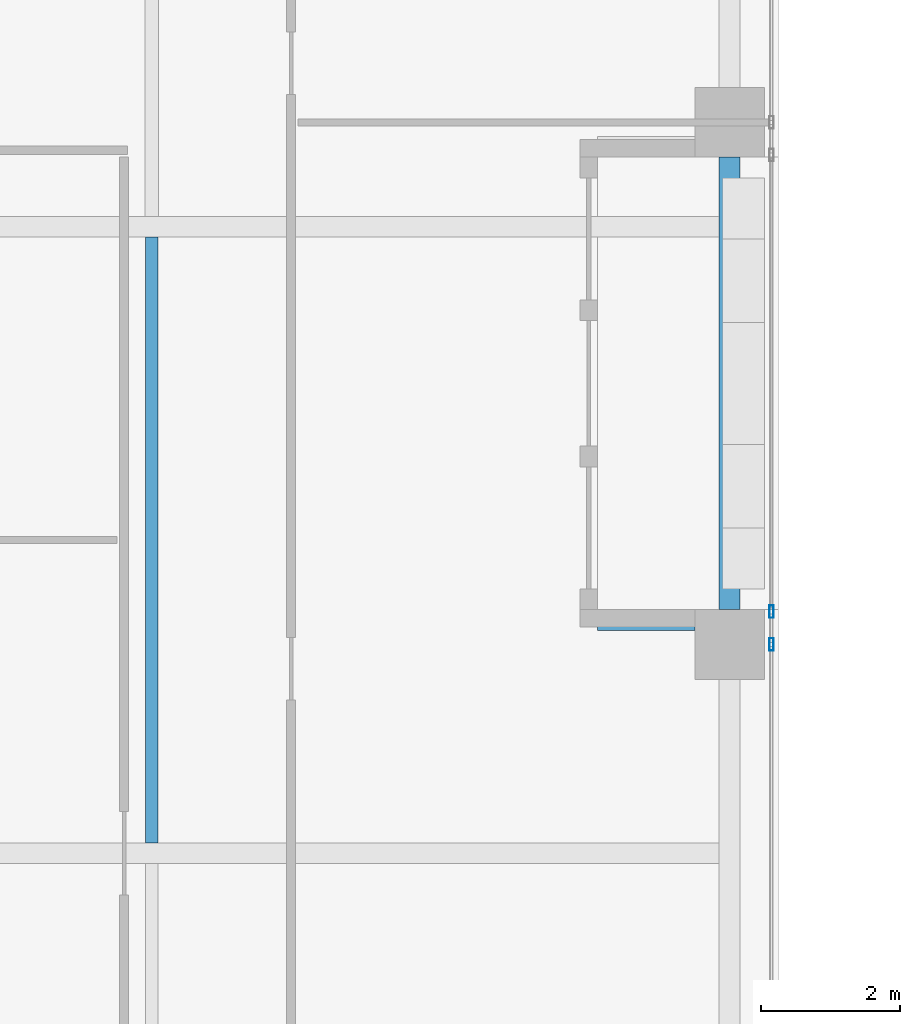
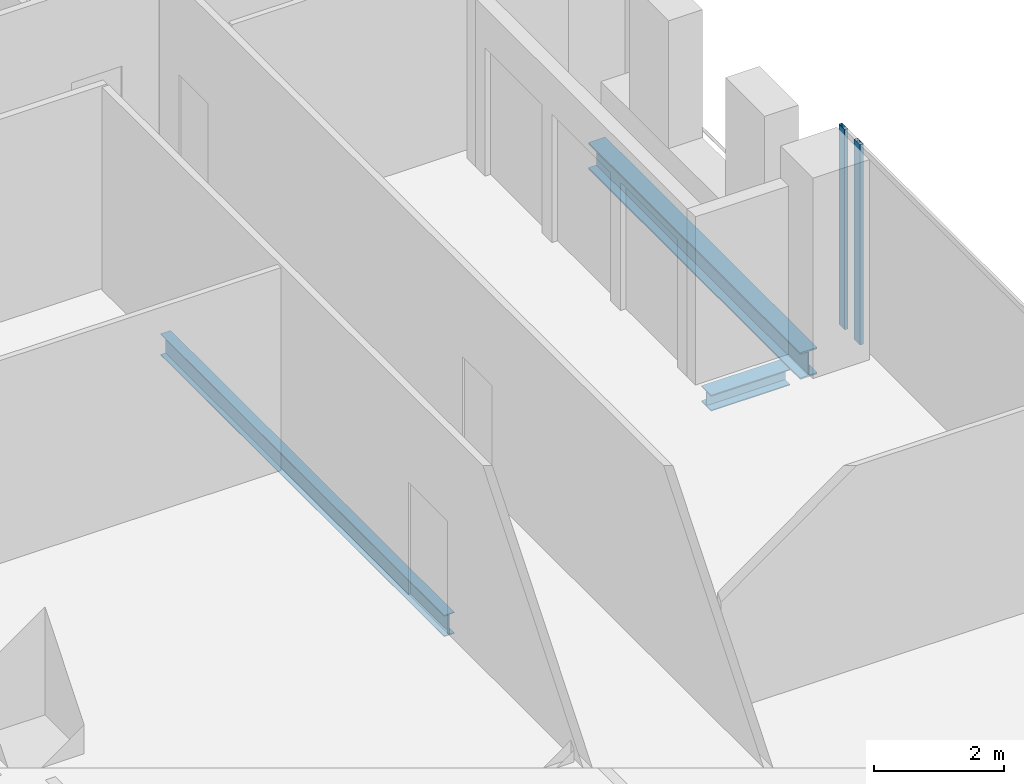
# One storey, part 21 of 38: 3 beams, 2 members, 1 element without a shape of its own.
"""IFC4 building model written with IfcOpenShell, lengths in metres."""

from ifc_helpers import new_model, si_unit, direction, frame, origin, origin_2d, place, context, subcontext, project, spatial, hollow_rectangle, i_section, extrude, source, transform, mapped, material, material_profile, profile_set, type_object, element, aggregate, save


model = new_model("IFC4")

# Units and contexts
model_context = context("Model", 3, precision=1e-05, world=origin(), true_north=direction((0.0, 1.0)))
body_context = subcontext(model_context, "Body", "Model", "MODEL_VIEW")
ifc_project = project(units=[si_unit("LENGTHUNIT", "METRE"), si_unit("AREAUNIT", "SQUARE_METRE"), si_unit("VOLUMEUNIT", "CUBIC_METRE"), si_unit("PLANEANGLEUNIT", "RADIAN"), si_unit("MASSUNIT", "GRAM", prefix="KILO")], contexts=[model_context])

# Site, building, storey
site_placement = place(None, origin())
site = spatial("IfcSite", under=ifc_project, at=site_placement, CompositionType="ELEMENT")
building_placement = place(site_placement, origin())
building = spatial("IfcBuilding", under=site, at=building_placement, Name="Khomas Fold Tower", CompositionType="ELEMENT")
storey_placement = place(building_placement, frame((0.0, 0.0, 196.699951171875)))
storey = spatial("IfcBuildingStorey", under=building, at=storey_placement, Name="L43", CompositionType="ELEMENT", Elevation=196.699951171875)

# Beams
ifc_material_1 = material(Name="Steel S355", Category="steel")
ifc_material_profile_1 = material_profile(ifc_material_1, i_section(OverallWidth=0.179931640625, OverallDepth=0.39990234375, WebThickness=0.008544921875, FlangeThickness=0.013427734375, at=origin_2d()), Name="IPE 400")
ifc_profile_set_1 = profile_set([ifc_material_profile_1], Name="Steel S355")
beam_type_1 = type_object("IfcBeamType", Name="IPE 400 beam JB3", PredefinedType="BEAM", material=ifc_profile_set_1)
shared_shape_1 = source(origin(), body_context, "Body", "SweptSolid", [
    extrude(i_section(OverallWidth=0.179931640625, OverallDepth=0.39990234375, WebThickness=0.008544921875, FlangeThickness=0.013427734375, at=origin_2d()), origin(), (0.0, 0.0, 1.0), 8.7001953125),
])
beam_1_placement = place(storey_placement, frame((42.0, 31.64990234375, -0.449951171875), z_axis=(0.0, 1.0, 0.0), x_axis=(-1.0, 0.0, 0.0)))
element("IfcBeam", 1, at=beam_1_placement, inside=storey, type_object=beam_type_1, Name="JB3", PredefinedType="BEAM", context=body_context, shape_type="MappedRepresentation", body=[
    mapped(shared_shape_1, transform((0.0, 0.0, 0.0))),
])
ifc_material_2 = material(Name="Steel S355", Category="steel")
ifc_material_profile_2 = material_profile(ifc_material_2, i_section(OverallWidth=0.300048828125, OverallDepth=0.5, WebThickness=0.014404296875, FlangeThickness=0.028076171875, at=origin_2d()), Name="HE 500 B")
ifc_profile_set_2 = profile_set([ifc_material_profile_2], Name="Steel S355")
beam_type_2 = type_object("IfcBeamType", Name="HE 500 B spandrel SB3", PredefinedType="SPANDREL", material=ifc_profile_set_2)
shared_shape_2 = source(origin(), body_context, "Body", "SweptSolid", [
    extrude(i_section(OverallWidth=0.300048828125, OverallDepth=0.5, WebThickness=0.014404296875, FlangeThickness=0.028076171875, at=origin_2d()), origin(), (0.0, 0.0, 1.0), 6.5),
])
beam_2_placement = place(storey_placement, frame((50.300048828125, 35.0, -0.5), z_axis=(0.0, 1.0, 0.0), x_axis=(-1.0, 0.0, 0.0)))
element("IfcBeam", 2, at=beam_2_placement, inside=storey, type_object=beam_type_2, Name="SB3", PredefinedType="SPANDREL", context=body_context, shape_type="MappedRepresentation", body=[
    mapped(shared_shape_2, transform((0.0, 0.0, 0.0))),
])
ifc_material_3 = material(Name="Steel S355", Category="steel")
ifc_material_profile_3 = material_profile(ifc_material_3, i_section(OverallWidth=0.300048828125, OverallDepth=0.300048828125, WebThickness=0.010986328125, FlangeThickness=0.01904296875, at=origin_2d()), Name="HE 300 B")
ifc_profile_set_3 = profile_set([ifc_material_profile_3], Name="Steel S355")
beam_type_3 = type_object("IfcBeamType", Name="HE 300 B beam BB1", PredefinedType="BEAM", material=ifc_profile_set_3)
shared_shape_3 = source(origin(), body_context, "Body", "SweptSolid", [
    extrude(i_section(OverallWidth=0.300048828125, OverallDepth=0.300048828125, WebThickness=0.010986328125, FlangeThickness=0.01904296875, at=origin_2d()), origin(), (0.0, 0.0, 1.0), 1.400146484375),
])
beam_3_placement = place(storey_placement, frame((48.39990234375, 34.85009765625, -0.39990234375), z_axis=(1.0, 0.0, 0.0), x_axis=(0.0, 1.0, 0.0)))
element("IfcBeam", 3, at=beam_3_placement, inside=storey, type_object=beam_type_3, Name="BB1", PredefinedType="BEAM", context=body_context, shape_type="MappedRepresentation", body=[
    mapped(shared_shape_3, transform((0.0, 0.0, 0.0))),
])

# Curtain wall, members
ifc_material_4 = material(Name="Aluminium framed double glazing", Category="aluminium")
curtain_wall_type = type_object("IfcCurtainWallType", Name="SK-Unitised clear-glass wall, office floors CW2", PredefinedType="NOTDEFINED", material=ifc_material_4)
curtain_wall_placement = place(storey_placement, origin())
curtain_wall = element("IfcCurtainWall", 4, at=curtain_wall_placement, inside=storey, type_object=curtain_wall_type, Name="CW2 run L43 03-0", PredefinedType="NOTDEFINED")
ifc_material_5 = material(Name="Aluminium", Category="aluminium")
ifc_material_profile_4 = material_profile(ifc_material_5, hollow_rectangle(XDim=0.06005859375, YDim=0.179931640625, WallThickness=0.00390625, at=origin_2d()), Name="SK-Unitised clear-glass wall, office floors mullion CW2-M")
ifc_profile_set_4 = profile_set([ifc_material_profile_4], Name="Aluminium")
member_type = type_object("IfcMemberType", Name="SK-Unitised clear-glass wall, office floors mullion CW2-M", PredefinedType="MULLION", material=ifc_profile_set_4)
shared_shape_4 = source(origin(), body_context, "Body", "SweptSolid", [
    extrude(hollow_rectangle(XDim=0.06005859375, YDim=0.179931640625, WallThickness=0.00390625, at=origin_2d()), origin(), (0.0, 0.0, 1.0), 3.75),
])
member_1_placement = place(storey_placement, frame((50.89990234375, 34.5, 0.0), z_axis=(0.0, 0.0, 1.0), x_axis=(-1.0, 0.0, 0.0)))
member_1 = element("IfcMember", 5, at=member_1_placement, type_object=member_type, Name="CW2 mullion 6", PredefinedType="MULLION", context=body_context, shape_type="MappedRepresentation", body=[
    mapped(shared_shape_4, transform((0.0, 0.0, 0.0))),
])
member_2_placement = place(storey_placement, frame((50.89990234375, 34.969970703125, 0.0), z_axis=(0.0, 0.0, 1.0), x_axis=(-1.0, 0.0, 0.0)))
member_2 = element("IfcMember", 6, at=member_2_placement, type_object=member_type, Name="CW2 mullion 7", PredefinedType="MULLION", context=body_context, shape_type="MappedRepresentation", body=[
    mapped(shared_shape_4, transform((0.0, 0.0, 0.0))),
])
aggregate(curtain_wall, [member_1, member_2])

save(model, "model.ifc")
